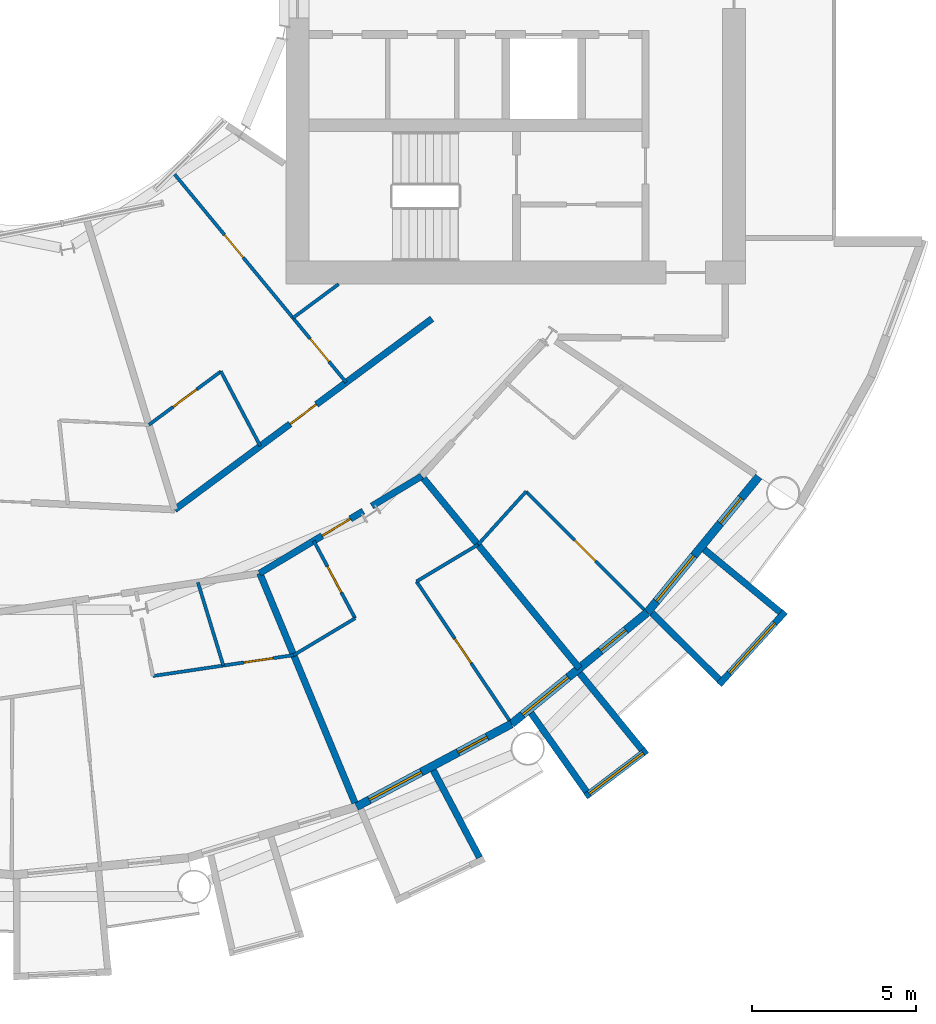
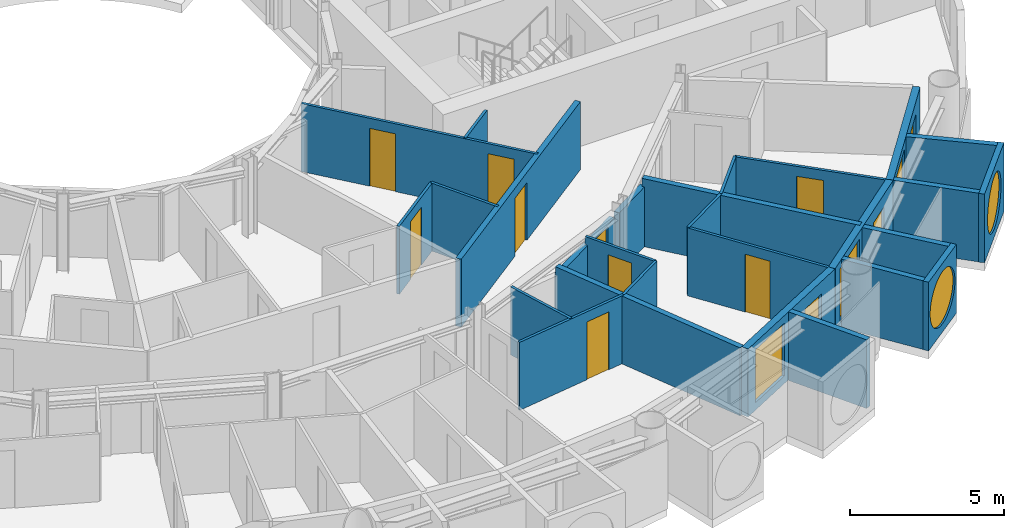
# One storey, part 16 of 26: 27 walls, 12 doors, 5 windows, 17 openings.
"""IFC4 building model written with IfcOpenShell, lengths in metres."""

from ifc_helpers import new_model, si_unit, direction, frame, frame_2d, origin, place, context, subcontext, project, spatial, rectangle, circle, extrude, material, layer, layer_set, type_object, element, fill, save


model = new_model("IFC4")

# Units and contexts
model_context = context("Model", 3, precision=1e-05, world=origin(), true_north=direction((0.0, 1.0)))
body_context = subcontext(model_context, "Body", "Model", "MODEL_VIEW")
ifc_project = project(units=[si_unit("LENGTHUNIT", "METRE"), si_unit("AREAUNIT", "SQUARE_METRE"), si_unit("VOLUMEUNIT", "CUBIC_METRE"), si_unit("PLANEANGLEUNIT", "RADIAN"), si_unit("MASSUNIT", "GRAM", prefix="KILO")], contexts=[model_context])

# Site, building, storey
site_placement = place(None, origin())
site = spatial("IfcSite", under=ifc_project, at=site_placement, CompositionType="ELEMENT")
building_placement = place(site_placement, origin())
building = spatial("IfcBuilding", under=site, at=building_placement, Name="Maasbend Ring Residences", CompositionType="ELEMENT")
storey_placement = place(building_placement, frame((0.0, 0.0, 75.800048828125)))
storey = spatial("IfcBuildingStorey", under=building, at=storey_placement, Name="L21", CompositionType="ELEMENT", Elevation=75.800048828125)

# Wall, opening, door
ifc_material_1 = material(Name="Concrete C30/37", Category="concrete")
ifc_layer_1 = layer(ifc_material_1, 0.199951171875)
ifc_layer_set_1 = layer_set([ifc_layer_1], Name="Concrete C30/37")
wall_type_1 = type_object("IfcWallType", Name="CORRIDOR WALL 200 CONCRETE", PredefinedType="PARTITIONING", material=ifc_layer_set_1)
wall_1_placement = place(storey_placement, frame((7.4951171875, -18.111083984375, 0.0), z_axis=(0.0, 0.0, 1.0), x_axis=(0.857697633371, 0.514154422046, 0.0)))
wall_1 = element("IfcWall", 1, at=wall_1_placement, inside=storey, type_object=wall_type_1, Name="U-L21-w014", PredefinedType="PARTITIONING", context=body_context, shape_type="SweptSolid", body=[
    extrude(rectangle(XDim=3.681884765625, YDim=0.199951171875, at=frame_2d((1.8408203125, 0.0))), origin(), (0.0, 0.0, 1.0), 2.3798828125),
])
opening_1_placement = place(wall_1_placement, frame((2.22412109375, 0.0, 0.0)))
opening_1 = element("IfcOpeningElement", 2, at=opening_1_placement, cuts=wall_1, Name="Opening D-2149", PredefinedType="OPENING", context=body_context, shape_type="SweptSolid", body=[
    extrude(rectangle(XDim=1.0, YDim=2.300048828125, at=frame_2d((0.5, 1.14990234375))), frame((0.0, 0.10986328125, 0.0), z_axis=(0.0, -1.0, 0.0), x_axis=(1.0, 0.0, 0.0)), (0.0, 0.0, 1.0), 0.219970703125),
])
ifc_material_2 = material(Name="Timber, fire-rated, painted", Category="wood")
door_type_1 = type_object("IfcDoorType", Name="FLAT ENTRANCE DOOR 1000 X 2300 FIRE-RATED", OperationType="NOTDEFINED", PredefinedType="DOOR", material=ifc_material_2)
door_1_placement = place(opening_1_placement, origin())
door_1 = element("IfcDoor", 3, at=door_1_placement, inside=storey, type_object=door_type_1, Name="D-2149", OperationType="SINGLE_SWING_RIGHT", OverallHeight=2.300048828125, OverallWidth=1.0, PredefinedType="DOOR", context=body_context, shape_type="SweptSolid", body=[
    extrude(rectangle(XDim=1.0, YDim=2.300048828125, at=frame_2d((0.5, 1.14990234375))), frame((0.0, 0.02490234375, 0.0), z_axis=(0.0, -1.0, 0.0), x_axis=(1.0, 0.0, 0.0)), (0.0, 0.0, 1.0), 0.050048828125),
])
fill(opening_1, door_1)

# Wall
wall_2_placement = place(storey_placement, frame((10.916015625, -16.06103515625, 0.0), z_axis=(0.0, 0.0, 1.0), x_axis=(0.857663265693, 0.514211748875, 0.0)))
element("IfcWall", 4, at=wall_2_placement, inside=storey, type_object=wall_type_1, Name="U-L21-w015", PredefinedType="PARTITIONING", context=body_context, shape_type="SweptSolid", body=[
    extrude(rectangle(XDim=1.77001953125, YDim=0.199951171875, at=frame_2d((0.885009765625, 0.0))), origin(), (0.0, 0.0, 1.0), 2.3798828125),
])

# Wall, opening, door
wall_3_placement = place(storey_placement, frame((4.906005859375, -16.172119140625, 0.0), z_axis=(0.0, 0.0, 1.0), x_axis=(0.803191461888, 0.595720971219, 0.0)))
wall_3 = element("IfcWall", 5, at=wall_3_placement, inside=storey, type_object=wall_type_1, Name="U-L21-w021", PredefinedType="PARTITIONING", context=body_context, shape_type="SweptSolid", body=[
    extrude(rectangle(XDim=9.760009765625, YDim=0.199951171875, at=frame_2d((4.8798828125, 0.0))), origin(), (0.0, 0.0, 1.0), 2.699951171875),
])
opening_2_placement = place(wall_3_placement, frame((4.3798828125, 0.0, 0.0)))
opening_2 = element("IfcOpeningElement", 6, at=opening_2_placement, cuts=wall_3, Name="Opening D-2164", PredefinedType="OPENING", context=body_context, shape_type="SweptSolid", body=[
    extrude(rectangle(XDim=1.0, YDim=2.300048828125, at=frame_2d((0.5, 1.14990234375))), frame((0.0, 0.10986328125, 0.0), z_axis=(0.0, -1.0, 0.0), x_axis=(1.0, 0.0, 0.0)), (0.0, 0.0, 1.0), 0.219970703125),
])
door_2_placement = place(opening_2_placement, origin())
door_2 = element("IfcDoor", 7, at=door_2_placement, inside=storey, type_object=door_type_1, Name="D-2164", OperationType="SINGLE_SWING_LEFT", OverallHeight=2.300048828125, OverallWidth=1.0, PredefinedType="DOOR", context=body_context, shape_type="SweptSolid", body=[
    extrude(rectangle(XDim=1.0, YDim=2.300048828125, at=frame_2d((0.5, 1.14990234375))), frame((0.0, 0.02490234375, 0.0), z_axis=(0.0, -1.0, 0.0), x_axis=(1.0, 0.0, 0.0)), (0.0, 0.0, 1.0), 0.050048828125),
])
fill(opening_2, door_2)

# Wall
ifc_material_3 = material(Name="Pale anodised aluminium panel", Category="aluminium")
ifc_layer_2 = layer(ifc_material_3, 0.199951171875)
ifc_layer_set_2 = layer_set([ifc_layer_2], Name="EW-BOX")
wall_type_2 = type_object("IfcWallType", Name="EW-BOX", PredefinedType="SOLIDWALL", material=ifc_layer_set_2)
wall_4_placement = place(storey_placement, frame((12.787109375, -24.113037109375, -0.030029296875), z_axis=(0.0, 0.0, 1.0), x_axis=(0.468365282436, -0.883534924159, 0.0)))
element("IfcWall", 8, at=wall_4_placement, inside=storey, type_object=wall_type_2, Name="Box side wall S15 right", PredefinedType="SOLIDWALL", context=body_context, shape_type="SweptSolid", body=[
    extrude(rectangle(XDim=3.006103515625, YDim=0.199951171875, at=frame_2d((1.5029296875, 0.0))), origin(), (0.0, 0.0, 1.0), 2.72998046875),
])

# Wall, opening, window
wall_5_placement = place(storey_placement, frame((17.427001953125, -24.908935546875, -0.030029296875), z_axis=(0.0, 0.0, 1.0), x_axis=(0.796842165306, 0.60418752353, 0.0)))
wall_5 = element("IfcWall", 9, at=wall_5_placement, inside=storey, type_object=wall_type_2, Name="Box front S17", PredefinedType="SOLIDWALL", context=body_context, shape_type="SweptSolid", body=[
    extrude(rectangle(XDim=2.3369140625, YDim=0.199951171875, at=frame_2d((1.16845703125, 0.0))), origin(), (0.0, 0.0, 1.0), 2.72998046875),
])
opening_3_placement = place(wall_5_placement, frame((0.128173828125, 0.0, 0.330078125)))
opening_3 = element("IfcOpeningElement", 10, at=opening_3_placement, cuts=wall_5, Name="Opening W-RD", PredefinedType="OPENING", context=body_context, shape_type="SweptSolid", body=[
    extrude(circle(Radius=1.0400390625, at=frame_2d((1.0400390625, 1.0400390625))), frame((0.0, 0.10986328125, 0.0), z_axis=(0.0, -1.0, 0.0), x_axis=(1.0, 0.0, 0.0)), (0.0, 0.0, 1.0), 0.219970703125),
])
ifc_material_4 = material(Name="Aluminium and clear glass", Category="aluminium")
window_type_1 = type_object("IfcWindowType", Name="W-RD", PartitioningType="SINGLE_PANEL", PredefinedType="WINDOW", material=ifc_material_4)
window_1_placement = place(opening_3_placement, origin())
window_1 = element("IfcWindow", 11, at=window_1_placement, inside=storey, type_object=window_type_1, Name="Round window S17", OverallHeight=2.080078125, OverallWidth=2.080078125, PartitioningType="SINGLE_PANEL", PredefinedType="WINDOW", context=body_context, shape_type="SweptSolid", body=[
    extrude(circle(Radius=1.0400390625, at=frame_2d((1.0400390625, 1.0400390625))), frame((0.0, 0.030029296875, 0.0), z_axis=(0.0, -1.0, 0.0), x_axis=(1.0, 0.0, 0.0)), (0.0, 0.0, 1.0), 0.06005859375),
])
fill(opening_3, window_1)

# Walls
wall_6_placement = place(storey_placement, frame((15.764892578125, -22.3701171875, -0.030029296875), z_axis=(0.0, 0.0, 1.0), x_axis=(0.576274612209, -0.817256123454, 0.0)))
element("IfcWall", 12, at=wall_6_placement, inside=storey, type_object=wall_type_2, Name="Box side wall S17 left", PredefinedType="SOLIDWALL", context=body_context, shape_type="SweptSolid", body=[
    extrude(rectangle(XDim=2.932861328125, YDim=0.199951171875, at=frame_2d((1.46630859375, 0.0))), origin(), (0.0, 0.0, 1.0), 2.72998046875),
])
wall_7_placement = place(storey_placement, frame((17.24609375, -21.155029296875, -0.030029296875), z_axis=(0.0, 0.0, 1.0), x_axis=(0.631741648902, -0.775179004516, 0.0)))
element("IfcWall", 13, at=wall_7_placement, inside=storey, type_object=wall_type_2, Name="Box side wall S17 right", PredefinedType="SOLIDWALL", context=body_context, shape_type="SweptSolid", body=[
    extrude(rectangle(XDim=3.005859375, YDim=0.199951171875, at=frame_2d((1.5029296875, 0.0))), origin(), (0.0, 0.0, 1.0), 2.72998046875),
])

# Wall, opening, window
wall_8_placement = place(storey_placement, frame((21.492919921875, -21.5, -0.030029296875), z_axis=(0.0, 0.0, 1.0), x_axis=(0.671506829416, 0.740998365753, 0.0)))
wall_8 = element("IfcWall", 14, at=wall_8_placement, inside=storey, type_object=wall_type_2, Name="Box front S19", PredefinedType="SOLIDWALL", context=body_context, shape_type="SweptSolid", body=[
    extrude(rectangle(XDim=2.9931640625, YDim=0.199951171875, at=frame_2d((1.49658203125, 0.0))), origin(), (0.0, 0.0, 1.0), 2.72998046875),
])
opening_4_placement = place(wall_8_placement, frame((0.45654296875, 0.0, 0.330078125)))
opening_4 = element("IfcOpeningElement", 15, at=opening_4_placement, cuts=wall_8, Name="Opening W-RD", PredefinedType="OPENING", context=body_context, shape_type="SweptSolid", body=[
    extrude(circle(Radius=1.0400390625, at=frame_2d((1.0400390625, 1.0400390625))), frame((0.0, 0.10986328125, 0.0), z_axis=(0.0, -1.0, 0.0), x_axis=(1.0, 0.0, 0.0)), (0.0, 0.0, 1.0), 0.219970703125),
])
window_2_placement = place(opening_4_placement, origin())
window_2 = element("IfcWindow", 16, at=window_2_placement, inside=storey, type_object=window_type_1, Name="Round window S19", OverallHeight=2.080078125, OverallWidth=2.080078125, PartitioningType="SINGLE_PANEL", PredefinedType="WINDOW", context=body_context, shape_type="SweptSolid", body=[
    extrude(circle(Radius=1.0400390625, at=frame_2d((1.0400390625, 1.0400390625))), frame((0.0, 0.030029296875, 0.0), z_axis=(0.0, -1.0, 0.0), x_axis=(1.0, 0.0, 0.0)), (0.0, 0.0, 1.0), 0.06005859375),
])
fill(opening_4, window_2)

# Walls
wall_9_placement = place(storey_placement, frame((19.449951171875, -19.322998046875, -0.030029296875), z_axis=(0.0, 0.0, 1.0), x_axis=(0.709727076896, -0.704476739375, 0.0)))
element("IfcWall", 17, at=wall_9_placement, inside=storey, type_object=wall_type_2, Name="Box side wall S19 left", PredefinedType="SOLIDWALL", context=body_context, shape_type="SweptSolid", body=[
    extrude(rectangle(XDim=2.883056640625, YDim=0.199951171875, at=frame_2d((1.44140625, 0.0))), origin(), (0.0, 0.0, 1.0), 2.72998046875),
])
wall_10_placement = place(storey_placement, frame((21.041015625, -17.384033203125, -0.030029296875), z_axis=(0.0, 0.0, 1.0), x_axis=(0.770784861449, -0.63709551667, 0.0)))
element("IfcWall", 18, at=wall_10_placement, inside=storey, type_object=wall_type_2, Name="Box side wall S19 right", PredefinedType="SOLIDWALL", context=body_context, shape_type="SweptSolid", body=[
    extrude(rectangle(XDim=3.005859375, YDim=0.199951171875, at=frame_2d((1.5029296875, 0.0))), origin(), (0.0, 0.0, 1.0), 2.72998046875),
])

# Wall, openings, door, window
ifc_material_5 = material(Name="Aluminium clad insulated panel", Category="aluminium")
ifc_layer_3 = layer(ifc_material_5, 0.25)
ifc_layer_set_3 = layer_set([ifc_layer_3], Name="EW-GL")
wall_type_3 = type_object("IfcWallType", Name="EW-GL", PredefinedType="SOLIDWALL", material=ifc_layer_set_3)
wall_11_placement = place(storey_placement, frame((10.447021484375, -25.221923828125, 0.0), z_axis=(0.0, 0.0, 1.0), x_axis=(0.881915646801, 0.471407246368, 0.0)))
wall_11 = element("IfcWall", 19, at=wall_11_placement, inside=storey, type_object=wall_type_3, Name="External wall S08", PredefinedType="SOLIDWALL", context=body_context, shape_type="SweptSolid", body=[
    extrude(rectangle(XDim=5.35205078125, YDim=0.25, at=frame_2d((2.676025390625, 0.0))), origin(), (0.0, 0.0, 1.0), 2.699951171875),
])
opening_5_placement = place(wall_11_placement, frame((0.441162109375, 0.0, 0.300048828125)))
opening_5 = element("IfcOpeningElement", 20, at=opening_5_placement, cuts=wall_11, Name="Opening W-BX", PredefinedType="OPENING", context=body_context, shape_type="SweptSolid", body=[
    extrude(rectangle(XDim=1.800048828125, YDim=2.10009765625, at=frame_2d((0.89990234375, 1.050048828125))), frame((0.0, 0.135009765625, 0.0), z_axis=(0.0, -1.0, 0.0), x_axis=(1.0, 0.0, 0.0)), (0.0, 0.0, 1.0), 0.27001953125),
])
opening_6_placement = place(wall_11_placement, frame((3.510498046875, 0.0, 0.0)))
opening_6 = element("IfcOpeningElement", 21, at=opening_6_placement, cuts=wall_11, Name="Opening D-LG", PredefinedType="OPENING", context=body_context, shape_type="SweptSolid", body=[
    extrude(rectangle(XDim=1.0, YDim=2.199951171875, at=frame_2d((0.5, 1.10009765625))), frame((0.0, 0.135009765625, 0.0), z_axis=(0.0, -1.0, 0.0), x_axis=(1.0, 0.0, 0.0)), (0.0, 0.0, 1.0), 0.27001953125),
])
ifc_material_6 = material(Name="Aluminium and clear glass", Category="aluminium")
door_type_2 = type_object("IfcDoorType", Name="D-LG", OperationType="SINGLE_SWING_LEFT", PredefinedType="DOOR", material=ifc_material_6)
door_3_placement = place(opening_6_placement, origin())
door_3 = element("IfcDoor", 22, at=door_3_placement, inside=storey, type_object=door_type_2, Name="Loggia door S16", OperationType="SINGLE_SWING_LEFT", OverallHeight=2.199951171875, OverallWidth=1.0, PredefinedType="DOOR", context=body_context, shape_type="SweptSolid", body=[
    extrude(rectangle(XDim=1.0, YDim=2.199951171875, at=frame_2d((0.5, 1.10009765625))), frame((0.0, 0.02490234375, 0.0), z_axis=(0.0, -1.0, 0.0), x_axis=(1.0, 0.0, 0.0)), (0.0, 0.0, 1.0), 0.050048828125),
])
fill(opening_6, door_3)
ifc_material_7 = material(Name="Aluminium and clear glass", Category="aluminium")
window_type_2 = type_object("IfcWindowType", Name="W-BX", PartitioningType="DOUBLE_PANEL_VERTICAL", PredefinedType="WINDOW", material=ifc_material_7)
window_3_placement = place(opening_5_placement, origin())
window_3 = element("IfcWindow", 23, at=window_3_placement, inside=storey, type_object=window_type_2, Name="Window S15 room to box", OverallHeight=2.10009765625, OverallWidth=1.800048828125, PartitioningType="SINGLE_PANEL", PredefinedType="WINDOW", context=body_context, shape_type="SweptSolid", body=[
    extrude(rectangle(XDim=1.800048828125, YDim=2.10009765625, at=frame_2d((0.89990234375, 1.050048828125))), frame((0.0, 0.030029296875, 0.0), z_axis=(0.0, -1.0, 0.0), x_axis=(1.0, 0.0, 0.0)), (0.0, 0.0, 1.0), 0.06005859375),
])
fill(opening_5, window_3)

wall_12_placement = place(storey_placement, frame((15.1669921875, -22.698974609375, 0.0), z_axis=(0.0, 0.0, 1.0), x_axis=(0.773019449054, 0.634382322723, 0.0)))
wall_12 = element("IfcWall", 24, at=wall_12_placement, inside=storey, type_object=wall_type_3, Name="External wall S09", PredefinedType="SOLIDWALL", context=body_context, shape_type="SweptSolid", body=[
    extrude(rectangle(XDim=5.351806640625, YDim=0.25, at=frame_2d((2.67578125, 0.0))), origin(), (0.0, 0.0, 1.0), 2.699951171875),
])
opening_7_placement = place(wall_12_placement, frame((0.441162109375, 0.0, 0.300048828125)))
opening_7 = element("IfcOpeningElement", 25, at=opening_7_placement, cuts=wall_12, Name="Opening W-BX", PredefinedType="OPENING", context=body_context, shape_type="SweptSolid", body=[
    extrude(rectangle(XDim=1.800048828125, YDim=2.10009765625, at=frame_2d((0.89990234375, 1.050048828125))), frame((0.0, 0.135009765625, 0.0), z_axis=(0.0, -1.0, 0.0), x_axis=(1.0, 0.0, 0.0)), (0.0, 0.0, 1.0), 0.27001953125),
])
opening_8_placement = place(wall_12_placement, frame((3.510498046875, 0.0, 0.0)))
opening_8 = element("IfcOpeningElement", 26, at=opening_8_placement, cuts=wall_12, Name="Opening D-LG", PredefinedType="OPENING", context=body_context, shape_type="SweptSolid", body=[
    extrude(rectangle(XDim=1.0, YDim=2.199951171875, at=frame_2d((0.5, 1.10009765625))), frame((0.0, 0.135009765625, 0.0), z_axis=(0.0, -1.0, 0.0), x_axis=(1.0, 0.0, 0.0)), (0.0, 0.0, 1.0), 0.27001953125),
])
door_4_placement = place(opening_8_placement, origin())
door_4 = element("IfcDoor", 27, at=door_4_placement, inside=storey, type_object=door_type_2, Name="Loggia door S18", OperationType="SINGLE_SWING_LEFT", OverallHeight=2.199951171875, OverallWidth=1.0, PredefinedType="DOOR", context=body_context, shape_type="SweptSolid", body=[
    extrude(rectangle(XDim=1.0, YDim=2.199951171875, at=frame_2d((0.5, 1.10009765625))), frame((0.0, 0.02490234375, 0.0), z_axis=(0.0, -1.0, 0.0), x_axis=(1.0, 0.0, 0.0)), (0.0, 0.0, 1.0), 0.050048828125),
])
fill(opening_8, door_4)
window_4_placement = place(opening_7_placement, origin())
window_4 = element("IfcWindow", 28, at=window_4_placement, inside=storey, type_object=window_type_2, Name="Window S17 room to box", OverallHeight=2.10009765625, OverallWidth=1.800048828125, PartitioningType="SINGLE_PANEL", PredefinedType="WINDOW", context=body_context, shape_type="SweptSolid", body=[
    extrude(rectangle(XDim=1.800048828125, YDim=2.10009765625, at=frame_2d((0.89990234375, 1.050048828125))), frame((0.0, 0.030029296875, 0.0), z_axis=(0.0, -1.0, 0.0), x_axis=(1.0, 0.0, 0.0)), (0.0, 0.0, 1.0), 0.06005859375),
])
fill(opening_7, window_4)

wall_13_placement = place(storey_placement, frame((19.303955078125, -19.303955078125, 0.0), z_axis=(0.0, 0.0, 1.0), x_axis=(0.634382322723, 0.773019449054, 0.0)))
wall_13 = element("IfcWall", 29, at=wall_13_placement, inside=storey, type_object=wall_type_3, Name="External wall S10", PredefinedType="SOLIDWALL", context=body_context, shape_type="SweptSolid", body=[
    extrude(rectangle(XDim=5.351806640625, YDim=0.25, at=frame_2d((2.67578125, 0.0))), origin(), (0.0, 0.0, 1.0), 2.699951171875),
])
opening_9_placement = place(wall_13_placement, frame((0.441162109375, 0.0, 0.300048828125)))
opening_9 = element("IfcOpeningElement", 30, at=opening_9_placement, cuts=wall_13, Name="Opening W-BX", PredefinedType="OPENING", context=body_context, shape_type="SweptSolid", body=[
    extrude(rectangle(XDim=1.800048828125, YDim=2.10009765625, at=frame_2d((0.89990234375, 1.050048828125))), frame((0.0, 0.135009765625, 0.0), z_axis=(0.0, -1.0, 0.0), x_axis=(1.0, 0.0, 0.0)), (0.0, 0.0, 1.0), 0.27001953125),
])
opening_10_placement = place(wall_13_placement, frame((3.510498046875, 0.0, 0.0)))
opening_10 = element("IfcOpeningElement", 31, at=opening_10_placement, cuts=wall_13, Name="Opening D-LG", PredefinedType="OPENING", context=body_context, shape_type="SweptSolid", body=[
    extrude(rectangle(XDim=1.0, YDim=2.199951171875, at=frame_2d((0.5, 1.10009765625))), frame((0.0, 0.135009765625, 0.0), z_axis=(0.0, -1.0, 0.0), x_axis=(1.0, 0.0, 0.0)), (0.0, 0.0, 1.0), 0.27001953125),
])
door_5_placement = place(opening_10_placement, origin())
door_5 = element("IfcDoor", 32, at=door_5_placement, inside=storey, type_object=door_type_2, Name="Loggia door S20", OperationType="SINGLE_SWING_LEFT", OverallHeight=2.199951171875, OverallWidth=1.0, PredefinedType="DOOR", context=body_context, shape_type="SweptSolid", body=[
    extrude(rectangle(XDim=1.0, YDim=2.199951171875, at=frame_2d((0.5, 1.10009765625))), frame((0.0, 0.02490234375, 0.0), z_axis=(0.0, -1.0, 0.0), x_axis=(1.0, 0.0, 0.0)), (0.0, 0.0, 1.0), 0.050048828125),
])
fill(opening_10, door_5)
window_5_placement = place(opening_9_placement, origin())
window_5 = element("IfcWindow", 33, at=window_5_placement, inside=storey, type_object=window_type_2, Name="Window S19 room to box", OverallHeight=2.10009765625, OverallWidth=1.800048828125, PartitioningType="SINGLE_PANEL", PredefinedType="WINDOW", context=body_context, shape_type="SweptSolid", body=[
    extrude(rectangle(XDim=1.800048828125, YDim=2.10009765625, at=frame_2d((0.89990234375, 1.050048828125))), frame((0.0, 0.030029296875, 0.0), z_axis=(0.0, -1.0, 0.0), x_axis=(1.0, 0.0, 0.0)), (0.0, 0.0, 1.0), 0.06005859375),
])
fill(opening_9, window_5)

# Walls
ifc_material_8 = material(Name="Gypsum board on steel studs", Category="steel")
ifc_layer_4 = layer(ifc_material_8, 0.10009765625)
ifc_layer_set_4 = layer_set([ifc_layer_4], Name="PARTITION 100 GYPSUM")
wall_type_4 = type_object("IfcWallType", Name="PARTITION 100 GYPSUM", PredefinedType="PARTITIONING", material=ifc_layer_set_4)
for number, where, z_axis, x_axis, name in (
    (34, (8.533935546875, -20.60400390625, 0.0), (0.0, 0.0, 1.0), (0.857611386679, 0.514298268943, 0.0), "U-L21-w003"),
    (35, (12.27587890625, -18.360107421875, 0.0), (0.0, 0.0, 1.0), (0.857611386679, 0.514298268943, 0.0), "U-L21-w004"),
):
    element("IfcWall", number, at=place(storey_placement, frame(where, z_axis=z_axis, x_axis=x_axis)), inside=storey, type_object=wall_type_4, Name=name, PredefinedType="PARTITIONING", context=body_context, shape_type="SweptSolid", body=[
        extrude(rectangle(XDim=2.181640625, YDim=0.10009765625, at=frame_2d((1.0908203125, 0.0))), origin(), (0.0, 0.0, 1.0), 2.699951171875),
    ])
wall_14_placement = place(storey_placement, frame((14.153076171875, -17.23388671875, 0.0), z_axis=(0.0, 0.0, 1.0), x_axis=(0.671144831591, 0.741326254107, 0.0)))
element("IfcWall", 36, at=wall_14_placement, inside=storey, type_object=wall_type_4, Name="U-L21-w005", PredefinedType="PARTITIONING", context=body_context, shape_type="SweptSolid", body=[
    extrude(rectangle(XDim=2.18115234375, YDim=0.10009765625, at=frame_2d((1.090576171875, 0.0))), origin(), (0.0, 0.0, 1.0), 2.699951171875),
])

# Wall, opening, door
wall_15_placement = place(storey_placement, frame((4.24609375, -21.239013671875, 0.0), z_axis=(0.0, 0.0, 1.0), x_axis=(0.989178348771, 0.146718077695, 0.0)))
wall_15 = element("IfcWall", 37, at=wall_15_placement, inside=storey, type_object=wall_type_4, Name="U-L21-w010", PredefinedType="PARTITIONING", context=body_context, shape_type="SweptSolid", body=[
    extrude(rectangle(XDim=4.334716796875, YDim=0.10009765625, at=frame_2d((2.16748046875, 0.0))), origin(), (0.0, 0.0, 1.0), 2.699951171875),
])
opening_11_placement = place(wall_15_placement, frame((2.801025390625, 0.0, 0.0)))
opening_11 = element("IfcOpeningElement", 38, at=opening_11_placement, cuts=wall_15, Name="Opening D-2144", PredefinedType="OPENING", context=body_context, shape_type="SweptSolid", body=[
    extrude(rectangle(XDim=0.89990234375, YDim=2.300048828125, at=frame_2d((0.449951171875, 1.14990234375))), frame((0.0, 0.06005859375, 0.0), z_axis=(0.0, -1.0, 0.0), x_axis=(1.0, 0.0, 0.0)), (0.0, 0.0, 1.0), 0.1201171875),
])
ifc_material_9 = material(Name="Timber, painted", Category="wood")
door_type_3 = type_object("IfcDoorType", Name="INTERNAL DOOR 900 X 2300", OperationType="NOTDEFINED", PredefinedType="DOOR", material=ifc_material_9)
door_6_placement = place(opening_11_placement, origin())
door_6 = element("IfcDoor", 39, at=door_6_placement, inside=storey, type_object=door_type_3, Name="D-2144", OperationType="SINGLE_SWING_RIGHT", OverallHeight=2.300048828125, OverallWidth=0.89990234375, PredefinedType="DOOR", context=body_context, shape_type="SweptSolid", body=[
    extrude(rectangle(XDim=0.89990234375, YDim=2.300048828125, at=frame_2d((0.449951171875, 1.14990234375))), frame((0.0, 0.02490234375, 0.0), z_axis=(0.0, -1.0, 0.0), x_axis=(1.0, 0.0, 0.0)), (0.0, 0.0, 1.0), 0.050048828125),
])
fill(opening_11, door_6)

wall_16_placement = place(storey_placement, frame((4.123046875, -13.589111328125, 0.0), z_axis=(0.0, 0.0, 1.0), x_axis=(0.803128348509, 0.595806055542, 0.0)))
wall_16 = element("IfcWall", 40, at=wall_16_placement, inside=storey, type_object=wall_type_4, Name="U-L21-w026", PredefinedType="PARTITIONING", context=body_context, shape_type="SweptSolid", body=[
    extrude(rectangle(XDim=2.734375, YDim=0.10009765625, at=frame_2d((1.3671875, 0.0))), origin(), (0.0, 0.0, 1.0), 2.699951171875),
])
opening_12_placement = place(wall_16_placement, frame((0.916015625, 0.0, 0.0)))
opening_12 = element("IfcOpeningElement", 41, at=opening_12_placement, cuts=wall_16, Name="Opening D-2165", PredefinedType="OPENING", context=body_context, shape_type="SweptSolid", body=[
    extrude(rectangle(XDim=0.89990234375, YDim=2.300048828125, at=frame_2d((0.449951171875, 1.14990234375))), frame((0.0, 0.06005859375, 0.0), z_axis=(0.0, -1.0, 0.0), x_axis=(1.0, 0.0, 0.0)), (0.0, 0.0, 1.0), 0.1201171875),
])
door_7_placement = place(opening_12_placement, origin())
door_7 = element("IfcDoor", 42, at=door_7_placement, inside=storey, type_object=door_type_3, Name="D-2165", OperationType="SINGLE_SWING_LEFT", OverallHeight=2.300048828125, OverallWidth=0.89990234375, PredefinedType="DOOR", context=body_context, shape_type="SweptSolid", body=[
    extrude(rectangle(XDim=0.89990234375, YDim=2.300048828125, at=frame_2d((0.449951171875, 1.14990234375))), frame((0.0, 0.02490234375, 0.0), z_axis=(0.0, -1.0, 0.0), x_axis=(1.0, 0.0, 0.0)), (0.0, 0.0, 1.0), 0.050048828125),
])
fill(opening_12, door_7)

# Wall
wall_17_placement = place(storey_placement, frame((8.512939453125, -10.33203125, 0.0), z_axis=(0.0, 0.0, 1.0), x_axis=(0.803135014325, 0.595797070121, 0.0)))
element("IfcWall", 43, at=wall_17_placement, inside=storey, type_object=wall_type_4, Name="U-L21-w027", PredefinedType="PARTITIONING", context=body_context, shape_type="SweptSolid", body=[
    extrude(rectangle(XDim=1.732177734375, YDim=0.10009765625, at=frame_2d((0.8662109375, 0.0))), origin(), (0.0, 0.0, 1.0), 2.699951171875),
])

# Wall, openings, doors
wall_18_placement = place(storey_placement, frame((4.907958984375, -5.958984375, 0.0), z_axis=(0.0, 0.0, 1.0), x_axis=(0.636105207978, -0.771602335652, 0.0)))
wall_18 = element("IfcWall", 44, at=wall_18_placement, inside=storey, type_object=wall_type_4, Name="U-L21-w075", PredefinedType="PARTITIONING", context=body_context, shape_type="SweptSolid", body=[
    extrude(rectangle(XDim=8.212646484375, YDim=0.10009765625, at=frame_2d((4.1064453125, 0.0))), origin(), (0.0, 0.0, 1.0), 2.699951171875),
])
opening_13_placement = place(wall_18_placement, frame((6.489990234375, 0.0, 0.0)))
opening_13 = element("IfcOpeningElement", 45, at=opening_13_placement, cuts=wall_18, Name="Opening D-2166", PredefinedType="OPENING", context=body_context, shape_type="SweptSolid", body=[
    extrude(rectangle(XDim=0.89990234375, YDim=2.300048828125, at=frame_2d((0.449951171875, 1.14990234375))), frame((0.0, 0.06005859375, 0.0), z_axis=(0.0, -1.0, 0.0), x_axis=(1.0, 0.0, 0.0)), (0.0, 0.0, 1.0), 0.1201171875),
])
opening_14_placement = place(wall_18_placement, frame((2.384033203125, 0.0, 0.0)))
opening_14 = element("IfcOpeningElement", 46, at=opening_14_placement, cuts=wall_18, Name="Opening D-2167", PredefinedType="OPENING", context=body_context, shape_type="SweptSolid", body=[
    extrude(rectangle(XDim=0.89990234375, YDim=2.300048828125, at=frame_2d((0.449951171875, 1.14990234375))), frame((0.0, 0.06005859375, 0.0), z_axis=(0.0, -1.0, 0.0), x_axis=(1.0, 0.0, 0.0)), (0.0, 0.0, 1.0), 0.1201171875),
])
door_8_placement = place(opening_13_placement, origin())
door_8 = element("IfcDoor", 47, at=door_8_placement, inside=storey, type_object=door_type_3, Name="D-2166", OperationType="SINGLE_SWING_RIGHT", OverallHeight=2.300048828125, OverallWidth=0.89990234375, PredefinedType="DOOR", context=body_context, shape_type="SweptSolid", body=[
    extrude(rectangle(XDim=0.89990234375, YDim=2.300048828125, at=frame_2d((0.449951171875, 1.14990234375))), frame((0.0, 0.02490234375, 0.0), z_axis=(0.0, -1.0, 0.0), x_axis=(1.0, 0.0, 0.0)), (0.0, 0.0, 1.0), 0.050048828125),
])
fill(opening_13, door_8)
door_9_placement = place(opening_14_placement, origin())
door_9 = element("IfcDoor", 48, at=door_9_placement, inside=storey, type_object=door_type_3, Name="D-2167", OperationType="SINGLE_SWING_LEFT", OverallHeight=2.300048828125, OverallWidth=0.89990234375, PredefinedType="DOOR", context=body_context, shape_type="SweptSolid", body=[
    extrude(rectangle(XDim=0.89990234375, YDim=2.300048828125, at=frame_2d((0.449951171875, 1.14990234375))), frame((0.0, 0.02490234375, 0.0), z_axis=(0.0, -1.0, 0.0), x_axis=(1.0, 0.0, 0.0)), (0.0, 0.0, 1.0), 0.050048828125),
])
fill(opening_14, door_9)

# Walls
wall_19_placement = place(storey_placement, frame((5.615966796875, -18.387939453125, 0.0), z_axis=(0.0, 0.0, 1.0), x_axis=(0.292206826201, -0.956355148845, 0.0)))
element("IfcWall", 49, at=wall_19_placement, inside=storey, type_object=wall_type_4, Name="U-L21-w077", PredefinedType="PARTITIONING", context=body_context, shape_type="SweptSolid", body=[
    extrude(rectangle(XDim=2.6484375, YDim=0.10009765625, at=frame_2d((1.32421875, 0.0))), origin(), (0.0, 0.0, 1.0), 2.699951171875),
])
wall_20_placement = place(storey_placement, frame((6.31591796875, -11.9609375, 0.0), z_axis=(0.0, 0.0, 1.0), x_axis=(0.467037016128, -0.884237765291, 0.0)))
element("IfcWall", 50, at=wall_20_placement, inside=storey, type_object=wall_type_4, Name="U-L21-w078", PredefinedType="PARTITIONING", context=body_context, shape_type="SweptSolid", body=[
    extrude(rectangle(XDim=2.57177734375, YDim=0.10009765625, at=frame_2d((1.285888671875, 0.0))), origin(), (0.0, 0.0, 1.0), 2.699951171875),
])

# Wall, opening, door
wall_21_placement = place(storey_placement, frame((9.14501953125, -17.1220703125, 0.0), z_axis=(0.0, 0.0, 1.0), x_axis=(0.471151994359, -0.882052038267, 0.0)))
wall_21 = element("IfcWall", 51, at=wall_21_placement, inside=storey, type_object=wall_type_4, Name="U-L21-w082", PredefinedType="PARTITIONING", context=body_context, shape_type="SweptSolid", body=[
    extrude(rectangle(XDim=2.67431640625, YDim=0.10009765625, at=frame_2d((1.337158203125, 0.0))), origin(), (0.0, 0.0, 1.0), 2.699951171875),
])
opening_15_placement = place(wall_21_placement, frame((0.886962890625, 0.0, 0.0)))
opening_15 = element("IfcOpeningElement", 52, at=opening_15_placement, cuts=wall_21, Name="Opening D-2150", PredefinedType="OPENING", context=body_context, shape_type="SweptSolid", body=[
    extrude(rectangle(XDim=0.89990234375, YDim=2.300048828125, at=frame_2d((0.449951171875, 1.14990234375))), frame((0.0, 0.06005859375, 0.0), z_axis=(0.0, -1.0, 0.0), x_axis=(1.0, 0.0, 0.0)), (0.0, 0.0, 1.0), 0.1201171875),
])
door_10_placement = place(opening_15_placement, origin())
door_10 = element("IfcDoor", 53, at=door_10_placement, inside=storey, type_object=door_type_3, Name="D-2150", OperationType="SINGLE_SWING_RIGHT", OverallHeight=2.300048828125, OverallWidth=0.89990234375, PredefinedType="DOOR", context=body_context, shape_type="SweptSolid", body=[
    extrude(rectangle(XDim=0.89990234375, YDim=2.300048828125, at=frame_2d((0.449951171875, 1.14990234375))), frame((0.0, 0.02490234375, 0.0), z_axis=(0.0, -1.0, 0.0), x_axis=(1.0, 0.0, 0.0)), (0.0, 0.0, 1.0), 0.050048828125),
])
fill(opening_15, door_10)

wall_22_placement = place(storey_placement, frame((12.27587890625, -18.360107421875, 0.0), z_axis=(0.0, 0.0, 1.0), x_axis=(0.555939561221, -0.831222716406, 0.0)))
wall_22 = element("IfcWall", 54, at=wall_22_placement, inside=storey, type_object=wall_type_4, Name="U-L21-w086", PredefinedType="PARTITIONING", context=body_context, shape_type="SweptSolid", body=[
    extrude(rectangle(XDim=5.0888671875, YDim=0.10009765625, at=frame_2d((2.54443359375, 0.0))), origin(), (0.0, 0.0, 1.0), 2.699951171875),
])
opening_16_placement = place(wall_22_placement, frame((2.093994140625, 0.0, 0.0)))
opening_16 = element("IfcOpeningElement", 55, at=opening_16_placement, cuts=wall_22, Name="Opening D-2151", PredefinedType="OPENING", context=body_context, shape_type="SweptSolid", body=[
    extrude(rectangle(XDim=0.89990234375, YDim=2.300048828125, at=frame_2d((0.449951171875, 1.14990234375))), frame((0.0, 0.06005859375, 0.0), z_axis=(0.0, -1.0, 0.0), x_axis=(1.0, 0.0, 0.0)), (0.0, 0.0, 1.0), 0.1201171875),
])
door_11_placement = place(opening_16_placement, origin())
door_11 = element("IfcDoor", 56, at=door_11_placement, inside=storey, type_object=door_type_3, Name="D-2151", OperationType="SINGLE_SWING_RIGHT", OverallHeight=2.300048828125, OverallWidth=0.89990234375, PredefinedType="DOOR", context=body_context, shape_type="SweptSolid", body=[
    extrude(rectangle(XDim=0.89990234375, YDim=2.300048828125, at=frame_2d((0.449951171875, 1.14990234375))), frame((0.0, 0.02490234375, 0.0), z_axis=(0.0, -1.0, 0.0), x_axis=(1.0, 0.0, 0.0)), (0.0, 0.0, 1.0), 0.050048828125),
])
fill(opening_16, door_11)

wall_23_placement = place(storey_placement, frame((15.612060546875, -15.6220703125, 0.0), z_axis=(0.0, 0.0, 1.0), x_axis=(0.706914880313, -0.707298629994, 0.0)))
wall_23 = element("IfcWall", 57, at=wall_23_placement, inside=storey, type_object=wall_type_4, Name="U-L21-w090", PredefinedType="PARTITIONING", context=body_context, shape_type="SweptSolid", body=[
    extrude(rectangle(XDim=5.089599609375, YDim=0.10009765625, at=frame_2d((2.544921875, 0.0))), origin(), (0.0, 0.0, 1.0), 2.699951171875),
])
opening_17_placement = place(wall_23_placement, frame((2.094970703125, 0.0, 0.0)))
opening_17 = element("IfcOpeningElement", 58, at=opening_17_placement, cuts=wall_23, Name="Opening D-2154", PredefinedType="OPENING", context=body_context, shape_type="SweptSolid", body=[
    extrude(rectangle(XDim=0.89990234375, YDim=2.300048828125, at=frame_2d((0.449951171875, 1.14990234375))), frame((0.0, 0.06005859375, 0.0), z_axis=(0.0, -1.0, 0.0), x_axis=(1.0, 0.0, 0.0)), (0.0, 0.0, 1.0), 0.1201171875),
])
door_12_placement = place(opening_17_placement, origin())
door_12 = element("IfcDoor", 59, at=door_12_placement, inside=storey, type_object=door_type_3, Name="D-2154", OperationType="SINGLE_SWING_RIGHT", OverallHeight=2.300048828125, OverallWidth=0.89990234375, PredefinedType="DOOR", context=body_context, shape_type="SweptSolid", body=[
    extrude(rectangle(XDim=0.89990234375, YDim=2.300048828125, at=frame_2d((0.449951171875, 1.14990234375))), frame((0.0, 0.02490234375, 0.0), z_axis=(0.0, -1.0, 0.0), x_axis=(1.0, 0.0, 0.0)), (0.0, 0.0, 1.0), 0.050048828125),
])
fill(opening_17, door_12)

# Walls
ifc_material_10 = material(Name="Concrete C30/37", Category="concrete")
ifc_layer_5 = layer(ifc_material_10, 0.199951171875)
ifc_layer_set_5 = layer_set([ifc_layer_5], Name="Concrete C30/37")
wall_type_5 = type_object("IfcWallType", Name="PARTY WALL 200 CONCRETE", PredefinedType="PARTITIONING", material=ifc_layer_set_5)
wall_24_placement = place(storey_placement, frame((7.5009765625, -18.10791015625, 0.0), z_axis=(0.0, 0.0, 1.0), x_axis=(0.382600411313, -0.923913916587, 0.0)))
element("IfcWall", 60, at=wall_24_placement, inside=storey, type_object=wall_type_5, Name="U-L21-w081", PredefinedType="PARTITIONING", context=body_context, shape_type="SweptSolid", body=[
    extrude(rectangle(XDim=7.574462890625, YDim=0.199951171875, at=frame_2d((3.787109375, 0.0))), origin(), (0.0, 0.0, 1.0), 2.699951171875),
])
wall_25_placement = place(storey_placement, frame((12.43408203125, -15.15087890625, 0.0), z_axis=(0.0, 0.0, 1.0), x_axis=(0.634381303318, -0.773020285633, 0.0)))
element("IfcWall", 61, at=wall_25_placement, inside=storey, type_object=wall_type_5, Name="U-L21-w087", PredefinedType="PARTITIONING", context=body_context, shape_type="SweptSolid", body=[
    extrude(rectangle(XDim=7.57568359375, YDim=0.199951171875, at=frame_2d((3.787841796875, 0.0))), origin(), (0.0, 0.0, 1.0), 2.699951171875),
])

save(model, "model.ifc")
